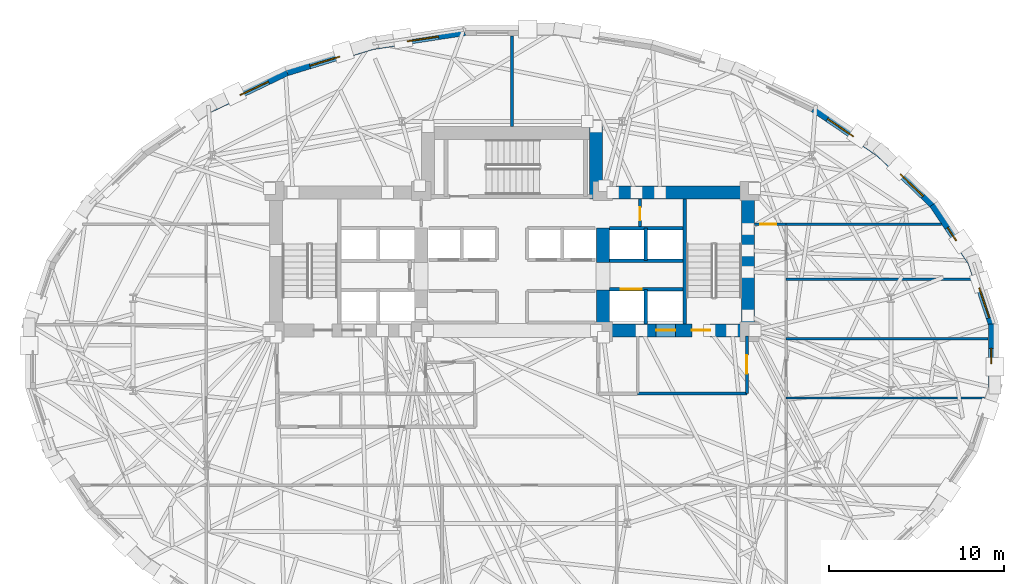
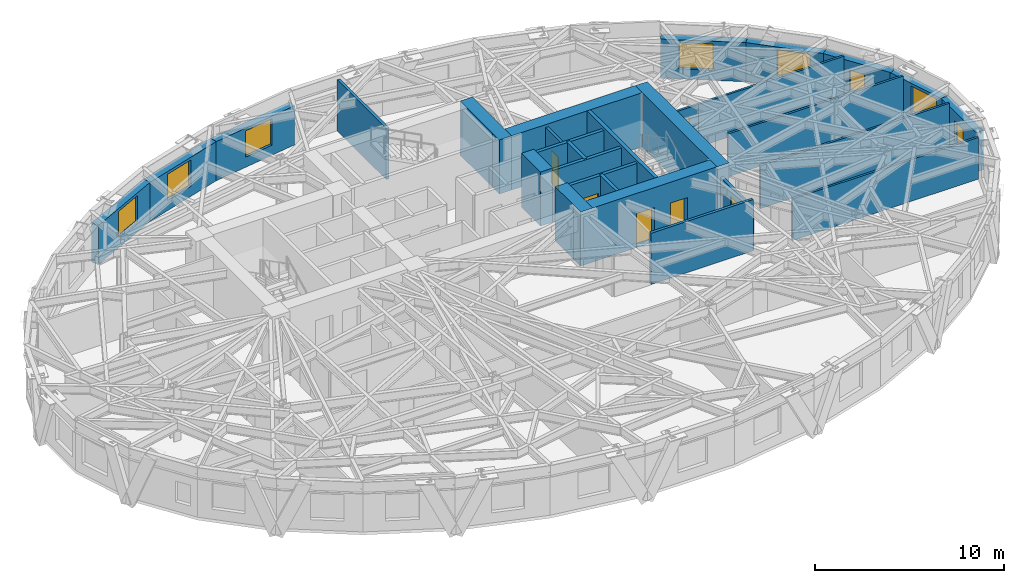
# One storey, part 9 of 14: 29 walls, 8 windows, 6 doors, 14 openings.
"""IFC4 building model written with IfcOpenShell, lengths in metres."""

from ifc_helpers import new_model, si_unit, direction, frame, frame_2d, origin, place, context, subcontext, project, spatial, rectangle, extrude, material, layer, layer_set, type_object, element, fill, save


model = new_model("IFC4")

# Units and contexts
model_context = context("Model", 3, precision=1e-05, world=origin(), true_north=direction((0.0, 1.0)))
body_context = subcontext(model_context, "Body", "Model", "MODEL_VIEW")
ifc_project = project(units=[si_unit("LENGTHUNIT", "METRE"), si_unit("AREAUNIT", "SQUARE_METRE"), si_unit("VOLUMEUNIT", "CUBIC_METRE"), si_unit("PLANEANGLEUNIT", "RADIAN"), si_unit("MASSUNIT", "GRAM", prefix="KILO")], contexts=[model_context])

# Site, building, storey
site_placement = place(None, origin())
site = spatial("IfcSite", under=ifc_project, at=site_placement, CompositionType="ELEMENT")
building_placement = place(site_placement, origin())
building = spatial("IfcBuilding", under=site, at=building_placement, Name="Keldmark Tower", CompositionType="ELEMENT")
storey_placement = place(building_placement, frame((0.0, 0.0, 103.60009765625)))
storey = spatial("IfcBuildingStorey", under=building, at=storey_placement, Name="L27", CompositionType="ELEMENT", Elevation=103.60009765625)

# Wall, opening, door
ifc_material_1 = material(Name="Acoustic Double-Layer Gypsum Corridor Partition", Category="gypsum")
ifc_layer_1 = layer(ifc_material_1, 0.139892578125)
ifc_layer_set_1 = layer_set([ifc_layer_1], Name="Acoustic Double-Layer Gypsum Corridor Partition")
wall_type_1 = type_object("IfcWallType", Name="Acoustic Corridor Partition 140 mm", PredefinedType="PARTITIONING", material=ifc_layer_set_1)
wall_1_placement = place(storey_placement, frame((13.89990234375, 7.550048828125, 0.0), z_axis=(0.0, 0.0, 1.0), x_axis=(1.0, 0.0, 0.0)))
wall_1 = element("IfcWall", 1, at=wall_1_placement, inside=storey, type_object=wall_type_1, Name="L27 Acoustic Corridor Partition 140 mm COR-EN-CAP", PredefinedType="PARTITIONING", context=body_context, shape_type="SweptSolid", body=[
    extrude(rectangle(XDim=1.800048828125, YDim=0.139892578125, at=frame_2d((0.89990234375, 0.0))), origin(), (0.0, 0.0, 1.0), 2.762939453125),
])
opening_1_placement = place(wall_1_placement, frame((0.320068359375, 0.0, 0.0)))
opening_1 = element("IfcOpeningElement", 2, at=opening_1_placement, cuts=wall_1, Name="Opening D-EX092", PredefinedType="OPENING", context=body_context, shape_type="SweptSolid", body=[
    extrude(rectangle(XDim=0.919921875, YDim=2.14990234375, at=frame_2d((0.4599609375, 1.074951171875))), frame((0.0, 0.079833984375, 0.0), z_axis=(0.0, -1.0, 0.0), x_axis=(1.0, 0.0, 0.0)), (0.0, 0.0, 1.0), 0.159912109375),
])
ifc_material_2 = material(Name="Flush American Ash Executive Office Door", Category="wood")
door_type_1 = type_object("IfcDoorType", Name="Executive Office Door 920x2150", OperationType="NOTDEFINED", PredefinedType="DOOR", material=ifc_material_2)
door_1_placement = place(opening_1_placement, origin())
door_1 = element("IfcDoor", 3, at=door_1_placement, inside=storey, type_object=door_type_1, Name="L27 Executive Office Door 920x2150 D-NRNE-L27", OperationType="SINGLE_SWING_RIGHT", OverallHeight=2.14990234375, OverallWidth=0.919921875, PredefinedType="DOOR", context=body_context, shape_type="SweptSolid", body=[
    extrude(rectangle(XDim=0.919921875, YDim=2.14990234375, at=frame_2d((0.4599609375, 1.074951171875))), frame((0.0, 0.02490234375, 0.0), z_axis=(0.0, -1.0, 0.0), x_axis=(1.0, 0.0, 0.0)), (0.0, 0.0, 1.0), 0.050048828125),
])
fill(opening_1, door_1)

# Walls
ifc_material_3 = material(Name="STC-58 Insulated Tenant Demising Gypsum Partition", Category="gypsum")
ifc_layer_2 = layer(ifc_material_3, 0.175048828125)
ifc_layer_set_2 = layer_set([ifc_layer_2], Name="STC-58 Insulated Tenant Demising Gypsum Partition")
wall_type_2 = type_object("IfcWallType", Name="Demising Suite Partition 175 mm", PredefinedType="PARTITIONING", material=ifc_layer_set_2)
wall_2_placement = place(storey_placement, frame((0.0, 13.14990234375, 0.0), z_axis=(0.0, 0.0, 1.0), x_axis=(0.0, 1.0, 0.0)))
element("IfcWall", 4, at=wall_2_placement, inside=storey, type_object=wall_type_2, Name="L27 Demising Suite Partition 175 mm N-MID-DIV", PredefinedType="PARTITIONING", context=body_context, shape_type="SweptSolid", body=[
    extrude(rectangle(XDim=5.1904296875, YDim=0.175048828125, at=frame_2d((2.59521484375, 0.0))), origin(), (0.0, 0.0, 1.0), 3.309814453125),
])
ifc_material_4 = material(Name="Acoustic Gypsum Board Interior Partition", Category="gypsum")
ifc_layer_3 = layer(ifc_material_4, 0.1298828125)
ifc_layer_set_3 = layer_set([ifc_layer_3], Name="Acoustic Gypsum Board Interior Partition")
wall_type_3 = type_object("IfcWallType", Name="Interior Partition 130 mm", PredefinedType="PARTITIONING", material=ifc_layer_set_3)
wall_3_placement = place(storey_placement, frame((15.699951171875, 7.550048828125, 0.0), z_axis=(0.0, 0.0, 1.0), x_axis=(1.0, 0.0, 0.0)))
element("IfcWall", 5, at=wall_3_placement, inside=storey, type_object=wall_type_3, Name="L27 Interior Partition 130 mm E-CAP-N", PredefinedType="PARTITIONING", context=body_context, shape_type="SweptSolid", body=[
    extrude(rectangle(XDim=8.888671875, YDim=0.1298828125, at=frame_2d((4.4443359375, 0.0))), origin(), (0.0, 0.0, 1.0), 2.762939453125),
])
wall_4_placement = place(storey_placement, frame((15.699951171875, -2.39990234375, 0.0), z_axis=(0.0, 0.0, 1.0), x_axis=(1.0, 0.0, 0.0)))
element("IfcWall", 6, at=wall_4_placement, inside=storey, type_object=wall_type_3, Name="L27 Interior Partition 130 mm E-DIV-1", PredefinedType="PARTITIONING", context=body_context, shape_type="SweptSolid", body=[
    extrude(rectangle(XDim=11.36181640625, YDim=0.1298828125, at=frame_2d((5.680908203125, 0.0))), origin(), (0.0, 0.0, 1.0), 2.68798828125),
])
wall_5_placement = place(storey_placement, frame((15.699951171875, 1.0, 0.0), z_axis=(0.0, 0.0, 1.0), x_axis=(1.0, 0.0, 0.0)))
element("IfcWall", 7, at=wall_5_placement, inside=storey, type_object=wall_type_3, Name="L27 Interior Partition 130 mm E-DIV-2", PredefinedType="PARTITIONING", context=body_context, shape_type="SweptSolid", body=[
    extrude(rectangle(XDim=11.567626953125, YDim=0.1298828125, at=frame_2d((5.78369140625, 0.0))), origin(), (0.0, 0.0, 1.0), 2.762939453125),
])
wall_6_placement = place(storey_placement, frame((15.699951171875, 4.39990234375, 0.0), z_axis=(0.0, 0.0, 1.0), x_axis=(1.0, 0.0, 0.0)))
element("IfcWall", 8, at=wall_6_placement, inside=storey, type_object=wall_type_3, Name="L27 Interior Partition 130 mm E-DIV-3", PredefinedType="PARTITIONING", context=body_context, shape_type="SweptSolid", body=[
    extrude(rectangle(XDim=10.69970703125, YDim=0.1298828125, at=frame_2d((5.349853515625, 0.0))), origin(), (0.0, 0.0, 1.0), 2.762939453125),
])
ifc_material_5 = material(Name="Concrete C70/85", Category="concrete")
ifc_layer_4 = layer(ifc_material_5, 0.75)
ifc_layer_set_4 = layer_set([ifc_layer_4], Name="Concrete C70/85")
wall_type_4 = type_object("IfcWallType", Name="Low-Mid Core Shear Wall 750 mm", PredefinedType="SHEAR", material=ifc_layer_set_4)
wall_7_placement = place(storey_placement, frame((13.52490234375, 1.10009765625, 0.0), z_axis=(0.0, 0.0, 1.0), x_axis=(0.0, 1.0, 0.0)))
element("IfcWall", 9, at=wall_7_placement, inside=storey, type_object=wall_type_4, Name="L27 East Core Outer Shear Wall", PredefinedType="SHEAR", context=body_context, shape_type="SweptSolid", body=[
    extrude(rectangle(XDim=8.64990234375, YDim=0.75, at=frame_2d((4.324951171875, 0.0))), origin(), (0.0, 0.0, 1.0), 3.5),
])
wall_8_placement = place(storey_placement, frame((4.425048828125, 9.375, 0.0), z_axis=(0.0, 0.0, 1.0), x_axis=(1.0, 0.0, 0.0)))
element("IfcWall", 10, at=wall_8_placement, inside=storey, type_object=wall_type_4, Name="L27 East Core North Shear Wall", PredefinedType="SHEAR", context=body_context, shape_type="SweptSolid", body=[
    extrude(rectangle(XDim=9.474853515625, YDim=0.75, at=frame_2d((4.7373046875, 0.0))), origin(), (0.0, 0.0, 1.0), 3.5),
])

# Wall, openings, doors
wall_9_placement = place(storey_placement, frame((13.89990234375, 1.47509765625, 0.0), z_axis=(0.0, 0.0, 1.0), x_axis=(-1.0, 0.0, 0.0)))
wall_9 = element("IfcWall", 11, at=wall_9_placement, inside=storey, type_object=wall_type_4, Name="L27 East Core South Shear Wall", PredefinedType="SHEAR", context=body_context, shape_type="SweptSolid", body=[
    extrude(rectangle(XDim=9.074951171875, YDim=0.75, at=frame_2d((4.53759765625, 0.0))), origin(), (0.0, 0.0, 1.0), 3.5),
])
opening_2_placement = place(wall_9_placement, frame((2.550048828125, 0.0, 0.0)))
opening_2 = element("IfcOpeningElement", 12, at=opening_2_placement, cuts=wall_9, Name="Opening D-ST105", PredefinedType="OPENING", context=body_context, shape_type="SweptSolid", body=[
    extrude(rectangle(XDim=1.050048828125, YDim=2.14990234375, at=frame_2d((0.52490234375, 1.074951171875))), frame((0.0, 0.385009765625, 0.0), z_axis=(0.0, -1.0, 0.0), x_axis=(1.0, 0.0, 0.0)), (0.0, 0.0, 1.0), 0.77001953125),
])
opening_3_placement = place(wall_9_placement, frame((4.550048828125, 0.0, 0.0)))
opening_3 = element("IfcOpeningElement", 13, at=opening_3_placement, cuts=wall_9, Name="Opening LD-110", PredefinedType="OPENING", context=body_context, shape_type="SweptSolid", body=[
    extrude(rectangle(XDim=1.10009765625, YDim=2.199951171875, at=frame_2d((0.550048828125, 1.10009765625))), frame((0.0, 0.385009765625, 0.0), z_axis=(0.0, -1.0, 0.0), x_axis=(1.0, 0.0, 0.0)), (0.0, 0.0, 1.0), 0.77001953125),
])
ifc_material_6 = material(Name="Brushed Bronze Hoistway Sliding Leaf", Category="metal")
door_type_2 = type_object("IfcDoorType", Name="Lift Landing Sliding Door 1100x2200", OperationType="SLIDING_TO_LEFT", PredefinedType="DOOR", material=ifc_material_6)
door_2_placement = place(opening_3_placement, origin())
door_2 = element("IfcDoor", 14, at=door_2_placement, inside=storey, type_object=door_type_2, Name="L27 Lift Landing Sliding Door 1100x2200 LD-EL-FS2-L27", OperationType="SLIDING_TO_LEFT", OverallHeight=2.199951171875, OverallWidth=1.10009765625, PredefinedType="DOOR", context=body_context, shape_type="SweptSolid", body=[
    extrude(rectangle(XDim=1.10009765625, YDim=2.199951171875, at=frame_2d((0.550048828125, 1.10009765625))), frame((0.0, 0.02490234375, 0.0), z_axis=(0.0, -1.0, 0.0), x_axis=(1.0, 0.0, 0.0)), (0.0, 0.0, 1.0), 0.050048828125),
])
fill(opening_3, door_2)
ifc_material_7 = material(Name="Hollow Metal Fire-Rated Door Assembly", Category="metal")
door_type_3 = type_object("IfcDoorType", Name="Stair Fire Door 1050x2150", OperationType="NOTDEFINED", PredefinedType="DOOR", material=ifc_material_7)
door_3_placement = place(opening_2_placement, origin())
door_3 = element("IfcDoor", 15, at=door_3_placement, inside=storey, type_object=door_type_3, Name="L27 Stair Fire Door 1050x2150 D-ST2-L27", OperationType="SINGLE_SWING_LEFT", OverallHeight=2.14990234375, OverallWidth=1.050048828125, PredefinedType="DOOR", context=body_context, shape_type="SweptSolid", body=[
    extrude(rectangle(XDim=1.050048828125, YDim=2.14990234375, at=frame_2d((0.52490234375, 1.074951171875))), frame((0.0, 0.02490234375, 0.0), z_axis=(0.0, -1.0, 0.0), x_axis=(1.0, 0.0, 0.0)), (0.0, 0.0, 1.0), 0.050048828125),
])
fill(opening_2, door_3)

# Walls
wall_10_placement = place(storey_placement, frame((5.199951171875, 1.10009765625, 0.0), z_axis=(0.0, 0.0, 1.0), x_axis=(0.0, 1.0, 0.0)))
element("IfcWall", 16, at=wall_10_placement, inside=storey, type_object=wall_type_4, Name="L27 East Core Inner Shear Pier South", PredefinedType="SHEAR", context=body_context, shape_type="SweptSolid", body=[
    extrude(rectangle(XDim=2.699951171875, YDim=0.75, at=frame_2d((1.35009765625, 0.0))), origin(), (0.0, 0.0, 1.0), 3.5),
])
wall_11_placement = place(storey_placement, frame((5.199951171875, 5.35009765625, 0.0), z_axis=(0.0, 0.0, 1.0), x_axis=(0.0, 1.0, 0.0)))
element("IfcWall", 17, at=wall_11_placement, inside=storey, type_object=wall_type_4, Name="L27 East Core Inner Shear Pier North", PredefinedType="SHEAR", context=body_context, shape_type="SweptSolid", body=[
    extrude(rectangle(XDim=2.0, YDim=0.75, at=frame_2d((1.0, 0.0))), origin(), (0.0, 0.0, 1.0), 3.5),
])
wall_12_placement = place(storey_placement, frame((4.800048828125, 9.0, 0.0), z_axis=(0.0, 0.0, 1.0), x_axis=(0.0, 1.0, 0.0)))
element("IfcWall", 18, at=wall_12_placement, inside=storey, type_object=wall_type_4, Name="L27 North Core East Shear Wall", PredefinedType="SHEAR", context=body_context, shape_type="SweptSolid", body=[
    extrude(rectangle(XDim=4.14990234375, YDim=0.75, at=frame_2d((2.074951171875, 0.0))), origin(), (0.0, 0.0, 1.0), 3.5),
])
ifc_material_8 = material(Name="Type X Fire-Rated Gypsum Partition Assembly", Category="gypsum")
ifc_layer_5 = layer(ifc_material_8, 0.1650390625)
ifc_layer_set_5 = layer_set([ifc_layer_5], Name="Type X Fire-Rated Gypsum Partition Assembly")
wall_type_5 = type_object("IfcWallType", Name="Rated Partition 165 mm", PredefinedType="PARTITIONING", material=ifc_layer_set_5)
wall_13_placement = place(storey_placement, frame((7.199951171875, -2.14990234375, 0.0), z_axis=(0.0, 0.0, 1.0), x_axis=(1.0, 0.0, 0.0)))
element("IfcWall", 19, at=wall_13_placement, inside=storey, type_object=wall_type_5, Name="L27 Rated Partition 165 mm FSAE-E-S", PredefinedType="PARTITIONING", context=body_context, shape_type="SweptSolid", body=[
    extrude(rectangle(XDim=6.25, YDim=0.1650390625, at=frame_2d((3.125, 0.0))), origin(), (0.0, 0.0, 1.0), 3.309814453125),
])

# Wall, opening, door
wall_14_placement = place(storey_placement, frame((13.449951171875, -2.14990234375, 0.0), z_axis=(0.0, 0.0, 1.0), x_axis=(0.0, 1.0, 0.0)))
wall_14 = element("IfcWall", 20, at=wall_14_placement, inside=storey, type_object=wall_type_5, Name="L27 Rated Partition 165 mm FSAE-E-E", PredefinedType="PARTITIONING", context=body_context, shape_type="SweptSolid", body=[
    extrude(rectangle(XDim=3.2998046875, YDim=0.1650390625, at=frame_2d((1.64990234375, 0.0))), origin(), (0.0, 0.0, 1.0), 2.762939453125),
])
opening_4_placement = place(wall_14_placement, frame((1.14990234375, 0.0, 0.0)))
opening_4 = element("IfcOpeningElement", 21, at=opening_4_placement, cuts=wall_14, Name="Opening D-FL105", PredefinedType="OPENING", context=body_context, shape_type="SweptSolid", body=[
    extrude(rectangle(XDim=1.050048828125, YDim=2.14990234375, at=frame_2d((0.52490234375, 1.074951171875))), frame((0.0, 0.092529296875, 0.0), z_axis=(0.0, -1.0, 0.0), x_axis=(1.0, 0.0, 0.0)), (0.0, 0.0, 1.0), 0.18505859375),
])
ifc_material_9 = material(Name="Fire-Rated Mineral-Core Door and Vision Lite", Category="metal")
door_type_4 = type_object("IfcDoorType", Name="Fire Lobby Door 1050x2150", OperationType="NOTDEFINED", PredefinedType="DOOR", material=ifc_material_9)
door_4_placement = place(opening_4_placement, origin())
door_4 = element("IfcDoor", 22, at=door_4_placement, inside=storey, type_object=door_type_4, Name="L27 Fire Lobby Door 1050x2150 D-FSAEE-OUT-L27", OperationType="SINGLE_SWING_LEFT", OverallHeight=2.14990234375, OverallWidth=1.050048828125, PredefinedType="DOOR", context=body_context, shape_type="SweptSolid", body=[
    extrude(rectangle(XDim=1.050048828125, YDim=2.14990234375, at=frame_2d((0.52490234375, 1.074951171875))), frame((0.0, 0.02490234375, 0.0), z_axis=(0.0, -1.0, 0.0), x_axis=(1.0, 0.0, 0.0)), (0.0, 0.0, 1.0), 0.050048828125),
])
fill(opening_4, door_4)

wall_15_placement = place(storey_placement, frame((7.330078125, 7.419921875, 0.0), z_axis=(0.0, 0.0, 1.0), x_axis=(0.0, 1.0, 0.0)))
wall_15 = element("IfcWall", 23, at=wall_15_placement, inside=storey, type_object=wall_type_5, Name="L27 Rated Partition 165 mm CS-NE-W", PredefinedType="PARTITIONING", context=body_context, shape_type="SweptSolid", body=[
    extrude(rectangle(XDim=1.580078125, YDim=0.1650390625, at=frame_2d((0.7900390625, 0.0))), origin(), (0.0, 0.0, 1.0), 3.309814453125),
])
opening_5_placement = place(wall_15_placement, frame((0.35009765625, 0.0, 0.0)))
opening_5 = element("IfcOpeningElement", 24, at=opening_5_placement, cuts=wall_15, Name="Opening D-RS075", PredefinedType="OPENING", context=body_context, shape_type="SweptSolid", body=[
    extrude(rectangle(XDim=0.75, YDim=2.10009765625, at=frame_2d((0.375, 1.050048828125))), frame((0.0, 0.092529296875, 0.0), z_axis=(0.0, -1.0, 0.0), x_axis=(1.0, 0.0, 0.0)), (0.0, 0.0, 1.0), 0.18505859375),
])
ifc_material_10 = material(Name="Galvanized Fire-Rated Access Leaf", Category="metal")
door_type_5 = type_object("IfcDoorType", Name="Riser Access Door 750x2100", OperationType="NOTDEFINED", PredefinedType="DOOR", material=ifc_material_10)
door_5_placement = place(opening_5_placement, origin())
door_5 = element("IfcDoor", 25, at=door_5_placement, inside=storey, type_object=door_type_5, Name="L27 Riser Access Door 750x2100 D-CSNE1-L27", OperationType="SINGLE_SWING_LEFT", OverallHeight=2.10009765625, OverallWidth=0.75, PredefinedType="DOOR", context=body_context, shape_type="SweptSolid", body=[
    extrude(rectangle(XDim=0.75, YDim=2.10009765625, at=frame_2d((0.375, 1.050048828125))), frame((0.0, 0.02490234375, 0.0), z_axis=(0.0, -1.0, 0.0), x_axis=(1.0, 0.0, 0.0)), (0.0, 0.0, 1.0), 0.050048828125),
])
fill(opening_5, door_5)

ifc_material_11 = material(Name="Fire-Resistant Type X Gypsum Shaftliner Coreboard", Category="gypsum")
ifc_layer_6 = layer(ifc_material_11, 0.199951171875)
ifc_layer_set_6 = layer_set([ifc_layer_6], Name="Fire-Resistant Type X Gypsum Shaftliner Coreboard")
wall_type_6 = type_object("IfcWallType", Name="Shaft Wall 200 mm", PredefinedType="SOLIDWALL", material=ifc_layer_set_6)
wall_16_placement = place(storey_placement, frame((5.574951171875, 3.820068359375, 0.0), z_axis=(0.0, 0.0, 1.0), x_axis=(1.0, 0.0, 0.0)))
wall_16 = element("IfcWall", 26, at=wall_16_placement, inside=storey, type_object=wall_type_6, Name="L27 Shaft Wall 200 mm HW-E-S", PredefinedType="SOLIDWALL", context=body_context, shape_type="SweptSolid", body=[
    extrude(rectangle(XDim=4.205078125, YDim=0.199951171875, at=frame_2d((2.1025390625, 0.0))), origin(), (0.0, 0.0, 1.0), 3.309814453125),
])
opening_6_placement = place(wall_16_placement, frame((0.64990234375, 0.0, 0.0)))
opening_6 = element("IfcOpeningElement", 27, at=opening_6_placement, cuts=wall_16, Name="Opening LD-120", PredefinedType="OPENING", context=body_context, shape_type="SweptSolid", body=[
    extrude(rectangle(XDim=1.199951171875, YDim=2.199951171875, at=frame_2d((0.60009765625, 1.10009765625))), frame((0.0, 0.10986328125, 0.0), z_axis=(0.0, -1.0, 0.0), x_axis=(1.0, 0.0, 0.0)), (0.0, 0.0, 1.0), 0.219970703125),
])
ifc_material_12 = material(Name="Heavy-Duty Brushed Metal Hoistway Sliding Leaf", Category="metal")
door_type_6 = type_object("IfcDoorType", Name="Service Lift Sliding Door 1200x2200", OperationType="SLIDING_TO_RIGHT", PredefinedType="DOOR", material=ifc_material_12)
door_6_placement = place(opening_6_placement, origin())
door_6 = element("IfcDoor", 28, at=door_6_placement, inside=storey, type_object=door_type_6, Name="L27 Service Lift Sliding Door 1200x2200 LD-EL-SV1-L27", OperationType="SLIDING_TO_RIGHT", OverallHeight=2.199951171875, OverallWidth=1.199951171875, PredefinedType="DOOR", context=body_context, shape_type="SweptSolid", body=[
    extrude(rectangle(XDim=1.199951171875, YDim=2.199951171875, at=frame_2d((0.60009765625, 1.10009765625))), frame((0.0, 0.02490234375, 0.0), z_axis=(0.0, -1.0, 0.0), x_axis=(1.0, 0.0, 0.0)), (0.0, 0.0, 1.0), 0.050048828125),
])
fill(opening_6, door_6)

# Walls
wall_17_placement = place(storey_placement, frame((7.64990234375, 1.85009765625, 0.0), z_axis=(0.0, 0.0, 1.0), x_axis=(0.0, 1.0, 0.0)))
element("IfcWall", 29, at=wall_17_placement, inside=storey, type_object=wall_type_6, Name="L27 Shaft Wall 200 mm HW-E-M", PredefinedType="SOLIDWALL", context=body_context, shape_type="SweptSolid", body=[
    extrude(rectangle(XDim=1.969970703125, YDim=0.199951171875, at=frame_2d((0.98486328125, 0.0))), origin(), (0.0, 0.0, 1.0), 3.309814453125),
])
for number, where, z_axis, x_axis, name in (
    (30, (5.574951171875, 5.469970703125, 0.0), (0.0, 0.0, 1.0), (1.0, 0.0, 0.0), "L27 Shaft Wall 200 mm HW-E-N"),
    (31, (5.574951171875, 7.330078125, 0.0), (0.0, 0.0, 1.0), (1.0, 0.0, 0.0), "L27 Shaft Wall 200 mm HW-E-TOP"),
):
    element("IfcWall", number, at=place(storey_placement, frame(where, z_axis=z_axis, x_axis=x_axis)), inside=storey, type_object=wall_type_6, Name=name, PredefinedType="SOLIDWALL", context=body_context, shape_type="SweptSolid", body=[
        extrude(rectangle(XDim=4.205078125, YDim=0.199951171875, at=frame_2d((2.1025390625, 0.0))), origin(), (0.0, 0.0, 1.0), 3.309814453125),
    ])
wall_18_placement = place(storey_placement, frame((7.64990234375, 5.469970703125, 0.0), z_axis=(0.0, 0.0, 1.0), x_axis=(0.0, 1.0, 0.0)))
element("IfcWall", 32, at=wall_18_placement, inside=storey, type_object=wall_type_6, Name="L27 Shaft Wall 200 mm HW-E-NM", PredefinedType="SOLIDWALL", context=body_context, shape_type="SweptSolid", body=[
    extrude(rectangle(XDim=1.860107421875, YDim=0.199951171875, at=frame_2d((0.93017578125, 0.0))), origin(), (0.0, 0.0, 1.0), 3.309814453125),
])
ifc_material_13 = material(Name="Concrete C50/60", Category="concrete")
ifc_layer_7 = layer(ifc_material_13, 0.219970703125)
ifc_layer_set_7 = layer_set([ifc_layer_7], Name="Concrete C50/60")
wall_type_7 = type_object("IfcWallType", Name="Stair Core Shear Wall 220 mm", PredefinedType="SHEAR", material=ifc_layer_set_7)
wall_19_placement = place(storey_placement, frame((9.889892578125, 1.85009765625, 0.0), z_axis=(0.0, 0.0, 1.0), x_axis=(0.0, 1.0, 0.0)))
element("IfcWall", 33, at=wall_19_placement, inside=storey, type_object=wall_type_7, Name="L27 East Stair Core Shear Wall", PredefinedType="SHEAR", context=body_context, shape_type="SweptSolid", body=[
    extrude(rectangle(XDim=7.14990234375, YDim=0.219970703125, at=frame_2d((3.574951171875, 0.0))), origin(), (0.0, 0.0, 1.0), 3.5),
])

# Wall, opening, window
ifc_material_14 = material(Name="Ironspot Manganese Brick and Kasota Buff Limestone Spandrel Assembly", Category="masonry")
ifc_layer_8 = layer(ifc_material_14, 0.43994140625)
ifc_layer_set_8 = layer_set([ifc_layer_8], Name="Ironspot Manganese Brick and Kasota Buff Limestone Spandrel Assembly")
wall_type_8 = type_object("IfcWallType", Name="Tower Brick Pier and Spandrel Wall 440 mm", PredefinedType="STANDARD", material=ifc_layer_set_8)
wall_20_placement = place(storey_placement, frame((26.313720703125, 5.385009765625, 0.0), z_axis=(0.0, 0.0, 1.0), x_axis=(0.314316911692, -0.94931811266, 0.0)))
wall_20 = element("IfcWall", 34, at=wall_20_placement, inside=storey, type_object=wall_type_8, Name="L27 Exterior Brick and Spandrel Wall 01", PredefinedType="STANDARD", context=body_context, shape_type="SweptSolid", body=[
    extrude(rectangle(XDim=3.7958984375, YDim=0.43994140625, at=frame_2d((1.89794921875, 0.0))), origin(), (0.0, 0.0, 1.0), 2.52783203125),
])
opening_7_placement = place(wall_20_placement, frame((1.546630859375, 0.0, 0.64990234375)))
opening_7 = element("IfcOpeningElement", 35, at=opening_7_placement, cuts=wall_20, Name="Opening W-02", PredefinedType="OPENING", context=body_context, shape_type="SweptSolid", body=[
    extrude(rectangle(XDim=1.800048828125, YDim=1.699951171875, at=frame_2d((0.89990234375, 0.85009765625))), frame((0.0, 0.22998046875, 0.0), z_axis=(0.0, -1.0, 0.0), x_axis=(1.0, 0.0, 0.0)), (0.0, 0.0, 1.0), 0.4599609375),
])
ifc_material_15 = material(Name="Thermally Broken Anodized Aluminum and Triple Low-E Argon Glazing", Category="aluminium")
window_type_1 = type_object("IfcWindowType", Name="Office Deep-Set Triple Window 1800x1700", PartitioningType="TRIPLE_PANEL_VERTICAL", PredefinedType="WINDOW", material=ifc_material_15)
window_1_placement = place(opening_7_placement, origin())
window_1 = element("IfcWindow", 36, at=window_1_placement, inside=storey, type_object=window_type_1, Name="L27 Deep-Set Window 01", OverallHeight=1.699951171875, OverallWidth=1.800048828125, PartitioningType="SINGLE_PANEL", PredefinedType="WINDOW", context=body_context, shape_type="SweptSolid", body=[
    extrude(rectangle(XDim=1.800048828125, YDim=1.699951171875, at=frame_2d((0.89990234375, 0.85009765625))), frame((0.0, -0.010009765625, 0.0), z_axis=(0.0, -1.0, 0.0), x_axis=(1.0, 0.0, 0.0)), (0.0, 0.0, 1.0), 0.06005859375),
])
fill(opening_7, window_1)

wall_21_placement = place(storey_placement, frame((24.10986328125, 8.680419921875, 0.0), z_axis=(0.0, 0.0, 1.0), x_axis=(0.554293965046, -0.83232097193, 0.0)))
wall_21 = element("IfcWall", 37, at=wall_21_placement, inside=storey, type_object=wall_type_8, Name="L27 Exterior Brick and Spandrel Wall 02", PredefinedType="STANDARD", context=body_context, shape_type="SweptSolid", body=[
    extrude(rectangle(XDim=4.022705078125, YDim=0.43994140625, at=frame_2d((2.01123046875, 0.0))), origin(), (0.0, 0.0, 1.0), 2.52783203125),
])
opening_8_placement = place(wall_21_placement, frame((1.561279296875, 0.0, 0.580078125)))
opening_8 = element("IfcOpeningElement", 38, at=opening_8_placement, cuts=wall_21, Name="Opening W-09", PredefinedType="OPENING", context=body_context, shape_type="SweptSolid", body=[
    extrude(rectangle(XDim=0.89990234375, YDim=1.35009765625, at=frame_2d((0.449951171875, 0.675048828125))), frame((0.0, 0.22998046875, 0.0), z_axis=(0.0, -1.0, 0.0), x_axis=(1.0, 0.0, 0.0)), (0.0, 0.0, 1.0), 0.4599609375),
])
ifc_material_16 = material(Name="Thermally Broken Anodized Aluminum and Triple Low-E Argon Glazing", Category="aluminium")
window_type_2 = type_object("IfcWindowType", Name="Corner Pier Deep-Set Window 900x1350", PartitioningType="SINGLE_PANEL", PredefinedType="WINDOW", material=ifc_material_16)
window_2_placement = place(opening_8_placement, origin())
window_2 = element("IfcWindow", 39, at=window_2_placement, inside=storey, type_object=window_type_2, Name="L27 Deep-Set Window 02", OverallHeight=1.35009765625, OverallWidth=0.89990234375, PartitioningType="SINGLE_PANEL", PredefinedType="WINDOW", context=body_context, shape_type="SweptSolid", body=[
    extrude(rectangle(XDim=0.89990234375, YDim=1.35009765625, at=frame_2d((0.449951171875, 0.675048828125))), frame((0.0, -0.010009765625, 0.0), z_axis=(0.0, -1.0, 0.0), x_axis=(1.0, 0.0, 0.0)), (0.0, 0.0, 1.0), 0.06005859375),
])
fill(opening_8, window_2)

wall_22_placement = place(storey_placement, frame((21.037109375, 11.6298828125, 0.0), z_axis=(0.0, 0.0, 1.0), x_axis=(0.720581378362, -0.693370375166, 0.0)))
wall_22 = element("IfcWall", 40, at=wall_22_placement, inside=storey, type_object=wall_type_8, Name="L27 Exterior Brick and Spandrel Wall 03", PredefinedType="STANDARD", context=body_context, shape_type="SweptSolid", body=[
    extrude(rectangle(XDim=4.306640625, YDim=0.43994140625, at=frame_2d((2.1533203125, 0.0))), origin(), (0.0, 0.0, 1.0), 2.52783203125),
])
opening_9_placement = place(wall_22_placement, frame((1.71875, 0.0, 0.64990234375)))
opening_9 = element("IfcOpeningElement", 41, at=opening_9_placement, cuts=wall_22, Name="Opening W-02", PredefinedType="OPENING", context=body_context, shape_type="SweptSolid", body=[
    extrude(rectangle(XDim=1.800048828125, YDim=1.699951171875, at=frame_2d((0.89990234375, 0.85009765625))), frame((0.0, 0.22998046875, 0.0), z_axis=(0.0, -1.0, 0.0), x_axis=(1.0, 0.0, 0.0)), (0.0, 0.0, 1.0), 0.4599609375),
])
window_3_placement = place(opening_9_placement, origin())
window_3 = element("IfcWindow", 42, at=window_3_placement, inside=storey, type_object=window_type_1, Name="L27 Deep-Set Window 03", OverallHeight=1.699951171875, OverallWidth=1.800048828125, PartitioningType="SINGLE_PANEL", PredefinedType="WINDOW", context=body_context, shape_type="SweptSolid", body=[
    extrude(rectangle(XDim=1.800048828125, YDim=1.699951171875, at=frame_2d((0.89990234375, 0.85009765625))), frame((0.0, -0.010009765625, 0.0), z_axis=(0.0, -1.0, 0.0), x_axis=(1.0, 0.0, 0.0)), (0.0, 0.0, 1.0), 0.06005859375),
])
fill(opening_9, window_3)

wall_23_placement = place(storey_placement, frame((17.266357421875, 14.18212890625, 0.0), z_axis=(0.0, 0.0, 1.0), x_axis=(0.827754551165, -0.56109036975, 0.0)))
wall_23 = element("IfcWall", 43, at=wall_23_placement, inside=storey, type_object=wall_type_8, Name="L27 Exterior Brick and Spandrel Wall 04", PredefinedType="STANDARD", context=body_context, shape_type="SweptSolid", body=[
    extrude(rectangle(XDim=4.590576171875, YDim=0.43994140625, at=frame_2d((2.29541015625, 0.0))), origin(), (0.0, 0.0, 1.0), 2.52783203125),
])
opening_10_placement = place(wall_23_placement, frame((0.996826171875, 0.0, 0.64990234375)))
opening_10 = element("IfcOpeningElement", 44, at=opening_10_placement, cuts=wall_23, Name="Opening W-02", PredefinedType="OPENING", context=body_context, shape_type="SweptSolid", body=[
    extrude(rectangle(XDim=1.800048828125, YDim=1.699951171875, at=frame_2d((0.89990234375, 0.85009765625))), frame((0.0, 0.22998046875, 0.0), z_axis=(0.0, -1.0, 0.0), x_axis=(1.0, 0.0, 0.0)), (0.0, 0.0, 1.0), 0.4599609375),
])
window_4_placement = place(opening_10_placement, origin())
window_4 = element("IfcWindow", 45, at=window_4_placement, inside=storey, type_object=window_type_1, Name="L27 Deep-Set Window 04", OverallHeight=1.699951171875, OverallWidth=1.800048828125, PartitioningType="SINGLE_PANEL", PredefinedType="WINDOW", context=body_context, shape_type="SweptSolid", body=[
    extrude(rectangle(XDim=1.800048828125, YDim=1.699951171875, at=frame_2d((0.89990234375, 0.85009765625))), frame((0.0, -0.010009765625, 0.0), z_axis=(0.0, -1.0, 0.0), x_axis=(1.0, 0.0, 0.0)), (0.0, 0.0, 1.0), 0.06005859375),
])
fill(opening_10, window_4)

wall_24_placement = place(storey_placement, frame((-8.012451171875, 17.76220703125, 0.0), z_axis=(0.0, 0.0, 1.0), x_axis=(0.988627497469, 0.150385076545, 0.0)))
wall_24 = element("IfcWall", 46, at=wall_24_placement, inside=storey, type_object=wall_type_8, Name="L27 Exterior Brick and Spandrel Wall 09", PredefinedType="STANDARD", context=body_context, shape_type="SweptSolid", body=[
    extrude(rectangle(XDim=5.376708984375, YDim=0.43994140625, at=frame_2d((2.6884765625, 0.0))), origin(), (0.0, 0.0, 1.0), 2.52783203125),
])
opening_11_placement = place(wall_24_placement, frame((2.03662109375, 0.0, 0.64990234375)))
opening_11 = element("IfcOpeningElement", 47, at=opening_11_placement, cuts=wall_24, Name="Opening W-02", PredefinedType="OPENING", context=body_context, shape_type="SweptSolid", body=[
    extrude(rectangle(XDim=1.800048828125, YDim=1.699951171875, at=frame_2d((0.89990234375, 0.85009765625))), frame((0.0, 0.22998046875, 0.0), z_axis=(0.0, -1.0, 0.0), x_axis=(1.0, 0.0, 0.0)), (0.0, 0.0, 1.0), 0.4599609375),
])
window_5_placement = place(opening_11_placement, origin())
window_5 = element("IfcWindow", 48, at=window_5_placement, inside=storey, type_object=window_type_1, Name="L27 Deep-Set Window 09", OverallHeight=1.699951171875, OverallWidth=1.800048828125, PartitioningType="SINGLE_PANEL", PredefinedType="WINDOW", context=body_context, shape_type="SweptSolid", body=[
    extrude(rectangle(XDim=1.800048828125, YDim=1.699951171875, at=frame_2d((0.89990234375, 0.85009765625))), frame((0.0, -0.010009765625, 0.0), z_axis=(0.0, -1.0, 0.0), x_axis=(1.0, 0.0, 0.0)), (0.0, 0.0, 1.0), 0.06005859375),
])
fill(opening_11, window_5)

wall_25_placement = place(storey_placement, frame((-12.92041015625, 16.2578125, 0.0), z_axis=(0.0, 0.0, 1.0), x_axis=(0.956228569431, 0.292620783617, 0.0)))
wall_25 = element("IfcWall", 49, at=wall_25_placement, inside=storey, type_object=wall_type_8, Name="L27 Exterior Brick and Spandrel Wall 10", PredefinedType="STANDARD", context=body_context, shape_type="SweptSolid", body=[
    extrude(rectangle(XDim=5.165283203125, YDim=0.43994140625, at=frame_2d((2.58251953125, 0.0))), origin(), (0.0, 0.0, 1.0), 2.52783203125),
])
opening_12_placement = place(wall_25_placement, frame((1.385986328125, 0.0, 0.64990234375)))
opening_12 = element("IfcOpeningElement", 50, at=opening_12_placement, cuts=wall_25, Name="Opening W-02", PredefinedType="OPENING", context=body_context, shape_type="SweptSolid", body=[
    extrude(rectangle(XDim=1.800048828125, YDim=1.699951171875, at=frame_2d((0.89990234375, 0.85009765625))), frame((0.0, 0.22998046875, 0.0), z_axis=(0.0, -1.0, 0.0), x_axis=(1.0, 0.0, 0.0)), (0.0, 0.0, 1.0), 0.4599609375),
])
window_6_placement = place(opening_12_placement, origin())
window_6 = element("IfcWindow", 51, at=window_6_placement, inside=storey, type_object=window_type_1, Name="L27 Deep-Set Window 10", OverallHeight=1.699951171875, OverallWidth=1.800048828125, PartitioningType="SINGLE_PANEL", PredefinedType="WINDOW", context=body_context, shape_type="SweptSolid", body=[
    extrude(rectangle(XDim=1.800048828125, YDim=1.699951171875, at=frame_2d((0.89990234375, 0.85009765625))), frame((0.0, -0.010009765625, 0.0), z_axis=(0.0, -1.0, 0.0), x_axis=(1.0, 0.0, 0.0)), (0.0, 0.0, 1.0), 0.06005859375),
])
fill(opening_12, window_6)

wall_26_placement = place(storey_placement, frame((-17.294921875, 14.165771484375, 0.0), z_axis=(0.0, 0.0, 1.0), x_axis=(0.902372757907, 0.430956385018, 0.0)))
wall_26 = element("IfcWall", 52, at=wall_26_placement, inside=storey, type_object=wall_type_8, Name="L27 Exterior Brick and Spandrel Wall 11", PredefinedType="STANDARD", context=body_context, shape_type="SweptSolid", body=[
    extrude(rectangle(XDim=4.881591796875, YDim=0.43994140625, at=frame_2d((2.44091796875, 0.0))), origin(), (0.0, 0.0, 1.0), 2.52783203125),
])
opening_13_placement = place(wall_26_placement, frame((1.888427734375, 0.0, 0.64990234375)))
opening_13 = element("IfcOpeningElement", 53, at=opening_13_placement, cuts=wall_26, Name="Opening W-02", PredefinedType="OPENING", context=body_context, shape_type="SweptSolid", body=[
    extrude(rectangle(XDim=1.800048828125, YDim=1.699951171875, at=frame_2d((0.89990234375, 0.85009765625))), frame((0.0, 0.22998046875, 0.0), z_axis=(0.0, -1.0, 0.0), x_axis=(1.0, 0.0, 0.0)), (0.0, 0.0, 1.0), 0.4599609375),
])
window_7_placement = place(opening_13_placement, origin())
window_7 = element("IfcWindow", 54, at=window_7_placement, inside=storey, type_object=window_type_1, Name="L27 Deep-Set Window 11", OverallHeight=1.699951171875, OverallWidth=1.800048828125, PartitioningType="SINGLE_PANEL", PredefinedType="WINDOW", context=body_context, shape_type="SweptSolid", body=[
    extrude(rectangle(XDim=1.800048828125, YDim=1.699951171875, at=frame_2d((0.89990234375, 0.85009765625))), frame((0.0, -0.010009765625, 0.0), z_axis=(0.0, -1.0, 0.0), x_axis=(1.0, 0.0, 0.0)), (0.0, 0.0, 1.0), 0.06005859375),
])
fill(opening_13, window_7)

wall_27_placement = place(storey_placement, frame((27.49560546875, 1.8505859375, 0.0), z_axis=(0.0, 0.0, 1.0), x_axis=(0.0, -1.0, 0.0)))
wall_27 = element("IfcWall", 55, at=wall_27_placement, inside=storey, type_object=wall_type_8, Name="L27 Exterior Brick and Spandrel Wall 32", PredefinedType="STANDARD", context=body_context, shape_type="SweptSolid", body=[
    extrude(rectangle(XDim=3.701171875, YDim=0.43994140625, at=frame_2d((1.8505859375, 0.0))), origin(), (0.0, 0.0, 1.0), 2.52783203125),
])
opening_14_placement = place(wall_27_placement, frame((1.400390625, 0.0, 0.580078125)))
opening_14 = element("IfcOpeningElement", 56, at=opening_14_placement, cuts=wall_27, Name="Opening W-09", PredefinedType="OPENING", context=body_context, shape_type="SweptSolid", body=[
    extrude(rectangle(XDim=0.89990234375, YDim=1.35009765625, at=frame_2d((0.449951171875, 0.675048828125))), frame((0.0, 0.22998046875, 0.0), z_axis=(0.0, -1.0, 0.0), x_axis=(1.0, 0.0, 0.0)), (0.0, 0.0, 1.0), 0.4599609375),
])
window_8_placement = place(opening_14_placement, origin())
window_8 = element("IfcWindow", 57, at=window_8_placement, inside=storey, type_object=window_type_2, Name="L27 Deep-Set Window 32", OverallHeight=1.35009765625, OverallWidth=0.89990234375, PartitioningType="SINGLE_PANEL", PredefinedType="WINDOW", context=body_context, shape_type="SweptSolid", body=[
    extrude(rectangle(XDim=0.89990234375, YDim=1.35009765625, at=frame_2d((0.449951171875, 0.675048828125))), frame((0.0, -0.010009765625, 0.0), z_axis=(0.0, -1.0, 0.0), x_axis=(1.0, 0.0, 0.0)), (0.0, 0.0, 1.0), 0.06005859375),
])
fill(opening_14, window_8)

save(model, "model.ifc")
